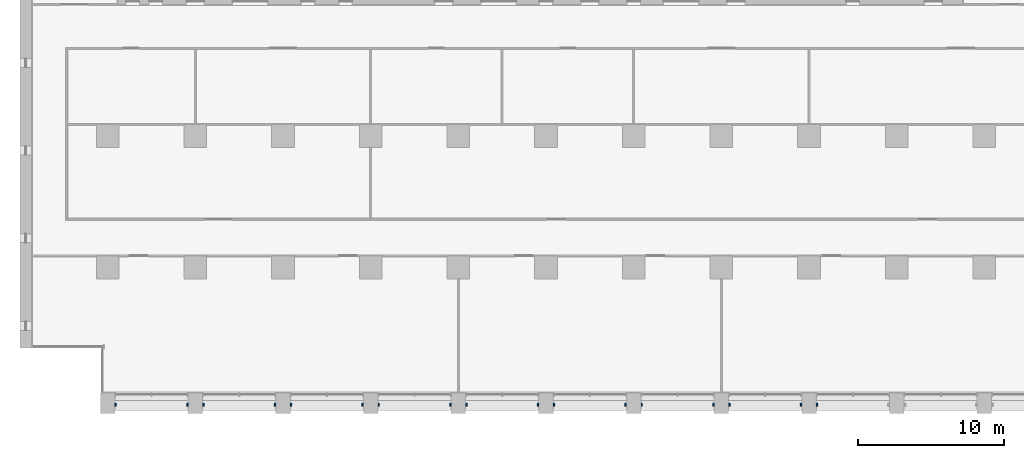
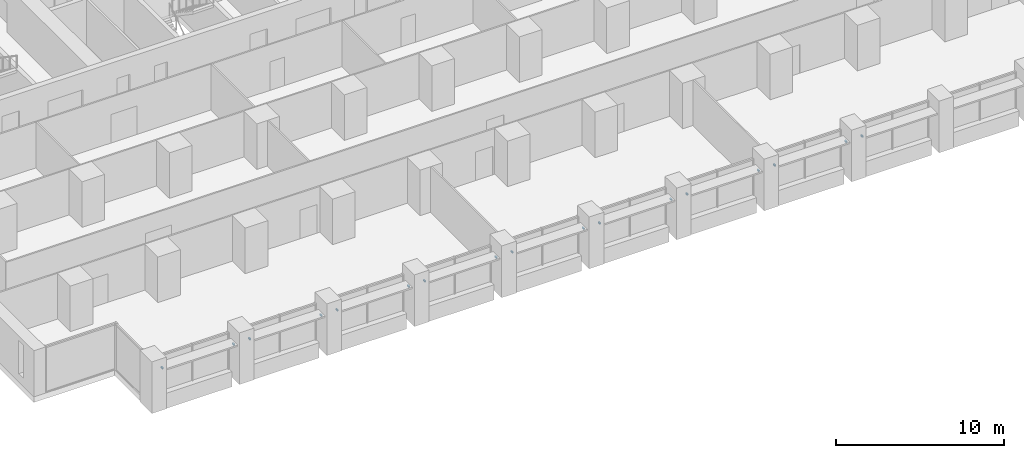
# One storey, part 15 of 17: 17 discrete accessories.
"""IFC4 building model written with IfcOpenShell, lengths in metres."""

from ifc_helpers import new_model, si_unit, direction, frame, origin, origin_2d, place, context, subcontext, project, spatial, rectangle, extrude, element, save


model = new_model("IFC4")

# Units and contexts
model_context = context("Model", 3, precision=1e-05, world=origin(), true_north=direction((0.0, 1.0)))
body_context = subcontext(model_context, "Body", "Model", "MODEL_VIEW")
ifc_project = project(units=[si_unit("LENGTHUNIT", "METRE"), si_unit("AREAUNIT", "SQUARE_METRE"), si_unit("VOLUMEUNIT", "CUBIC_METRE"), si_unit("PLANEANGLEUNIT", "RADIAN"), si_unit("MASSUNIT", "GRAM", prefix="KILO")], contexts=[model_context])

# Site, building, storey
site_placement = place(None, origin())
site = spatial("IfcSite", under=ifc_project, at=site_placement, CompositionType="ELEMENT")
building_placement = place(site_placement, origin())
building = spatial("IfcBuilding", under=site, at=building_placement, Name="Calvaro Tower", CompositionType="ELEMENT")
storey_placement = place(building_placement, frame((0.0, 0.0, 71.25)))
storey = spatial("IfcBuildingStorey", under=building, at=storey_placement, Name="L17", CompositionType="ELEMENT", Elevation=71.25)

# Discrete accessories
for number, where, z_axis, x_axis, name in (
    (1, (6.550048828125, 0.60009765625, 2.14990234375), (0.0, 0.0, 1.0), (1.0, 0.0, 0.0), "Brise-soleil bracket"),
    (2, (11.449951171875, 0.60009765625, 2.14990234375), (0.0, 0.0, 1.0), (1.0, 0.0, 0.0), "Brise-soleil bracket"),
    (3, (12.550048828125, 0.60009765625, 2.14990234375), (0.0, 0.0, 1.0), (1.0, 0.0, 0.0), "Brise-soleil bracket"),
    (4, (17.449951171875, 0.60009765625, 2.14990234375), (0.0, 0.0, 1.0), (1.0, 0.0, 0.0), "Brise-soleil bracket"),
    (5, (18.550048828125, 0.60009765625, 2.14990234375), (0.0, 0.0, 1.0), (1.0, 0.0, 0.0), "Brise-soleil bracket"),
    (6, (23.449951171875, 0.60009765625, 2.14990234375), (0.0, 0.0, 1.0), (1.0, 0.0, 0.0), "Brise-soleil bracket"),
    (7, (24.550048828125, 0.60009765625, 2.14990234375), (0.0, 0.0, 1.0), (1.0, 0.0, 0.0), "Brise-soleil bracket"),
    (8, (29.449951171875, 0.60009765625, 2.14990234375), (0.0, 0.0, 1.0), (1.0, 0.0, 0.0), "Brise-soleil bracket"),
    (9, (30.550048828125, 0.60009765625, 2.14990234375), (0.0, 0.0, 1.0), (1.0, 0.0, 0.0), "Brise-soleil bracket"),
    (10, (35.449951171875, 0.60009765625, 2.14990234375), (0.0, 0.0, 1.0), (1.0, 0.0, 0.0), "Brise-soleil bracket"),
    (11, (36.550048828125, 0.60009765625, 2.14990234375), (0.0, 0.0, 1.0), (1.0, 0.0, 0.0), "Brise-soleil bracket"),
    (12, (41.449951171875, 0.60009765625, 2.14990234375), (0.0, 0.0, 1.0), (1.0, 0.0, 0.0), "Brise-soleil bracket"),
    (13, (42.550048828125, 0.60009765625, 2.14990234375), (0.0, 0.0, 1.0), (1.0, 0.0, 0.0), "Brise-soleil bracket"),
    (14, (47.449951171875, 0.60009765625, 2.14990234375), (0.0, 0.0, 1.0), (1.0, 0.0, 0.0), "Brise-soleil bracket"),
    (15, (48.550048828125, 0.60009765625, 2.14990234375), (0.0, 0.0, 1.0), (1.0, 0.0, 0.0), "Brise-soleil bracket"),
    (16, (53.449951171875, 0.60009765625, 2.14990234375), (0.0, 0.0, 1.0), (1.0, 0.0, 0.0), "Brise-soleil bracket"),
    (17, (54.550048828125, 0.60009765625, 2.14990234375), (0.0, 0.0, 1.0), (1.0, 0.0, 0.0), "Brise-soleil bracket"),
):
    element("IfcDiscreteAccessory", number, at=place(storey_placement, frame(where, z_axis=z_axis, x_axis=x_axis)), inside=storey, Name=name, PredefinedType="BRACKET", context=body_context, shape_type="SweptSolid", body=[
        extrude(rectangle(XDim=0.10009765625, YDim=0.199951171875, at=origin_2d()), origin(), (0.0, 0.0, 1.0), 0.10009765625),
    ])

save(model, "model.ifc")
